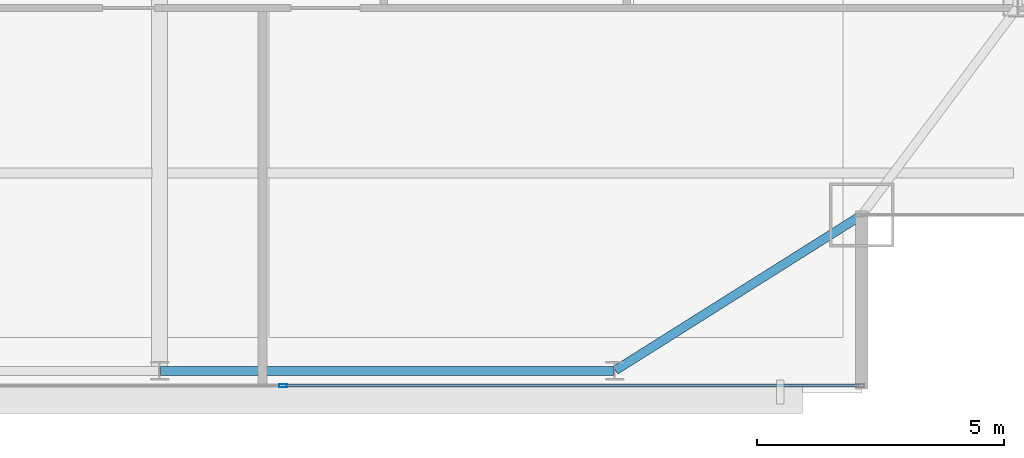
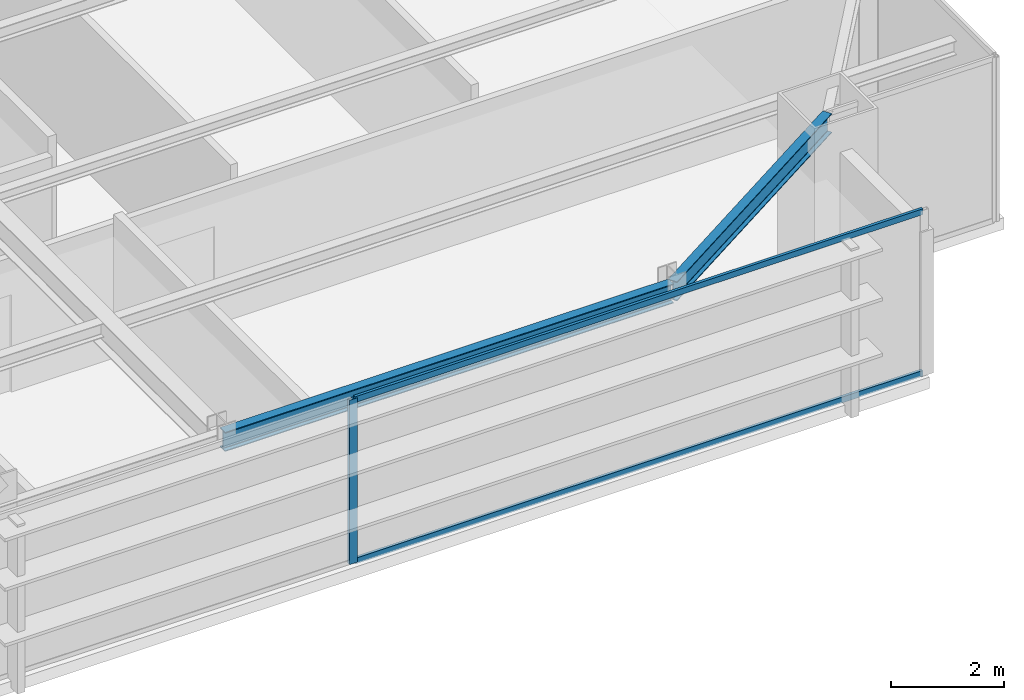
# One storey, part 13 of 30: 3 members, 2 beams, 1 element without a shape of its own.
"""IFC4 building model written with IfcOpenShell, lengths in metres."""

from ifc_helpers import new_model, si_unit, direction, frame, origin, origin_2d, place, context, subcontext, project, spatial, hollow_rectangle, i_section, extrude, source, transform, mapped, material, layer, layer_set, material_profile, profile_set, type_object, type_shapes, element, aggregate, save


model = new_model("IFC4")

# Units and contexts
model_context = context("Model", 3, precision=1e-05, world=origin(), true_north=direction((0.0, 1.0)))
body_context = subcontext(model_context, "Body", "Model", "MODEL_VIEW")
ifc_project = project(units=[si_unit("LENGTHUNIT", "METRE"), si_unit("AREAUNIT", "SQUARE_METRE"), si_unit("VOLUMEUNIT", "CUBIC_METRE"), si_unit("PLANEANGLEUNIT", "RADIAN"), si_unit("MASSUNIT", "GRAM", prefix="KILO")], contexts=[model_context])

# Site, building, storey
site_placement = place(None, origin())
site = spatial("IfcSite", under=ifc_project, at=site_placement, CompositionType="ELEMENT")
building_placement = place(site_placement, origin())
building = spatial("IfcBuilding", under=site, at=building_placement, Name="Varnel Quay Broadcast Tower", CompositionType="ELEMENT")
storey_placement = place(building_placement, frame((0.0, 0.0, 180.0)))
storey = spatial("IfcBuildingStorey", under=building, at=storey_placement, Name="L44", CompositionType="ELEMENT", Elevation=180.0)

# Beams
ifc_material_1 = material(Name="Structural Steel CSA G40.21 350W", Category="steel")
ifc_material_profile_1 = material_profile(ifc_material_1, i_section(OverallWidth=0.180908203125, OverallDepth=0.4169921875, WebThickness=0.010986328125, FlangeThickness=0.018310546875, FilletRadius=0.011962890625, at=origin_2d()), Name="W410X85")
ifc_profile_set_1 = profile_set([ifc_material_profile_1], Name="Structural Steel CSA G40.21 350W")
beam_type = type_object("IfcBeamType", Name="Beam_W410X85", PredefinedType="SPANDREL", material=ifc_profile_set_1)
shared_shape_1 = source(origin(), body_context, "Body", "SweptSolid", [
    extrude(i_section(OverallWidth=0.180908203125, OverallDepth=0.4169921875, WebThickness=0.010986328125, FlangeThickness=0.018310546875, FilletRadius=0.011962890625, at=origin_2d()), origin(), (0.0, 0.0, 1.0), 9.159912109375),
])
beam_1_placement = place(storey_placement, frame((43.219970703125, 7.64990234375, 3.341552734375), z_axis=(1.0, 0.0, 0.0), x_axis=(0.0, 1.0, 0.0)))
element("IfcBeam", 1, at=beam_1_placement, inside=storey, type_object=beam_type, Name="L44 South Spandrel TC-S4-TC-S5", PredefinedType="SPANDREL", context=body_context, shape_type="MappedRepresentation", body=[
    mapped(shared_shape_1, transform((0.0, 0.0, 0.0), x_axis=(1.0, 0.0, 0.0), y_axis=(0.0, 1.0, 0.0), z_axis=(0.0, 0.0, 1.0), scale=1.0)),
])
shared_shape_2 = source(origin(), body_context, "Body", "SweptSolid", [
    extrude(i_section(OverallWidth=0.180908203125, OverallDepth=0.4169921875, WebThickness=0.010986328125, FlangeThickness=0.018310546875, FilletRadius=0.011962890625, at=origin_2d()), origin(), (0.0, 0.0, 1.0), 5.869384765625),
])
type_shapes(beam_type, [shared_shape_1, shared_shape_2])
beam_2_placement = place(storey_placement, frame((52.4169921875, 7.66064453125, 3.341552734375), z_axis=(0.846088328928, 0.533042718412, 0.0), x_axis=(-0.533042718412, 0.846088328928, 0.0)))
element("IfcBeam", 2, at=beam_2_placement, inside=storey, type_object=beam_type, Name="L44 South Spandrel TC-S5-MC-SE", PredefinedType="SPANDREL", context=body_context, shape_type="MappedRepresentation", body=[
    mapped(shared_shape_2, transform((0.0, 0.0, 0.0), x_axis=(1.0, 0.0, 0.0), y_axis=(0.0, 1.0, 0.0), z_axis=(0.0, 0.0, 1.0), scale=1.0)),
])

# Curtain wall, members
ifc_material_2 = material(Name="Anodised Bronze Aluminium 6063-T6", Category="aluminium")
ifc_layer = layer(ifc_material_2, 0.18994140625, Name="Anodised Bronze Aluminium 6063-T6")
ifc_layer_set = layer_set([ifc_layer], Name="Anodised Bronze Aluminium 6063-T6")
curtain_wall_type = type_object("IfcCurtainWallType", Name="CW_UpperTower", PredefinedType="NOTDEFINED", material=ifc_layer_set)
curtain_wall_placement = place(storey_placement, origin())
curtain_wall = element("IfcCurtainWall", 3, at=curtain_wall_placement, inside=storey, type_object=curtain_wall_type, Name="L44 South Unitised Curtain Wall 1", PredefinedType="NOTDEFINED")
ifc_material_profile_2 = material_profile(ifc_material_2, hollow_rectangle(XDim=0.06494140625, YDim=0.1650390625, WallThickness=0.00341796875, at=origin_2d()), Name="ALU65X165X3.5")
ifc_profile_set_2 = profile_set([ifc_material_profile_2], Name="Anodised Bronze Aluminium 6063-T6")
member_type_1 = type_object("IfcMemberType", Name="Mull_CWS-03", PredefinedType="MULLION", material=ifc_profile_set_2)
shared_shape_3 = source(origin(), body_context, "Body", "SweptSolid", [
    extrude(hollow_rectangle(XDim=0.06494140625, YDim=0.1650390625, WallThickness=0.00341796875, at=origin_2d()), origin(), (0.0, 0.0, 1.0), 3.550048828125),
])
type_shapes(member_type_1, [shared_shape_3])
member_1_placement = place(storey_placement, frame((45.699951171875, 7.35009765625, 0.0), z_axis=(0.0, 0.0, 1.0), x_axis=(0.0, 1.0, 0.0)))
member_1 = element("IfcMember", 4, at=member_1_placement, type_object=member_type_1, Name="CWS-03 mullion 4", PredefinedType="MULLION", context=body_context, shape_type="MappedRepresentation", body=[
    mapped(shared_shape_3, transform((0.0, 0.0, 0.0), x_axis=(1.0, 0.0, 0.0), y_axis=(0.0, 1.0, 0.0), z_axis=(0.0, 0.0, 1.0), scale=1.0)),
])
ifc_material_profile_3 = material_profile(ifc_material_2, hollow_rectangle(XDim=0.06005859375, YDim=0.125, WallThickness=0.0029296875, at=origin_2d()), Name="ALU60X125X3")
ifc_profile_set_3 = profile_set([ifc_material_profile_3], Name="Anodised Bronze Aluminium 6063-T6")
member_type_2 = type_object("IfcMemberType", Name="Tran_CWS-03", PredefinedType="USERDEFINED", material=ifc_profile_set_3)
shared_shape_4 = source(origin(), body_context, "Body", "SweptSolid", [
    extrude(hollow_rectangle(XDim=0.06005859375, YDim=0.125, WallThickness=0.0029296875, at=origin_2d()), origin(), (0.0, 0.0, 1.0), 11.6025390625),
])
type_shapes(member_type_2, [shared_shape_4])
member_2_placement = place(storey_placement, frame((45.732421875, 7.35009765625, 0.030029296875), z_axis=(1.0, 0.0, 0.0), x_axis=(0.0, 1.0, 0.0)))
member_2 = element("IfcMember", 5, at=member_2_placement, type_object=member_type_2, Name="CWS-03 transom 4.1", ObjectType="TRANSOM", PredefinedType="USERDEFINED", context=body_context, shape_type="MappedRepresentation", body=[
    mapped(shared_shape_4, transform((0.0, 0.0, 0.0), x_axis=(1.0, 0.0, 0.0), y_axis=(0.0, 1.0, 0.0), z_axis=(0.0, 0.0, 1.0), scale=1.0)),
])
member_3_placement = place(storey_placement, frame((45.732421875, 7.35009765625, 3.52001953125), z_axis=(1.0, 0.0, 0.0), x_axis=(0.0, 1.0, 0.0)))
member_3 = element("IfcMember", 6, at=member_3_placement, type_object=member_type_2, Name="CWS-03 transom 4.2", ObjectType="TRANSOM", PredefinedType="USERDEFINED", context=body_context, shape_type="MappedRepresentation", body=[
    mapped(shared_shape_4, transform((0.0, 0.0, 0.0), x_axis=(1.0, 0.0, 0.0), y_axis=(0.0, 1.0, 0.0), z_axis=(0.0, 0.0, 1.0), scale=1.0)),
])
aggregate(curtain_wall, [member_1, member_2, member_3])

save(model, "model.ifc")
